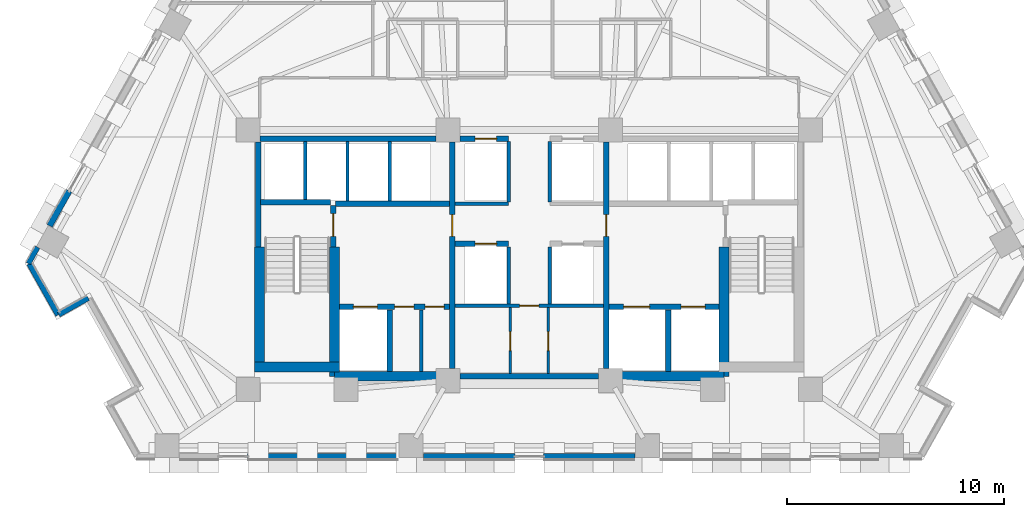
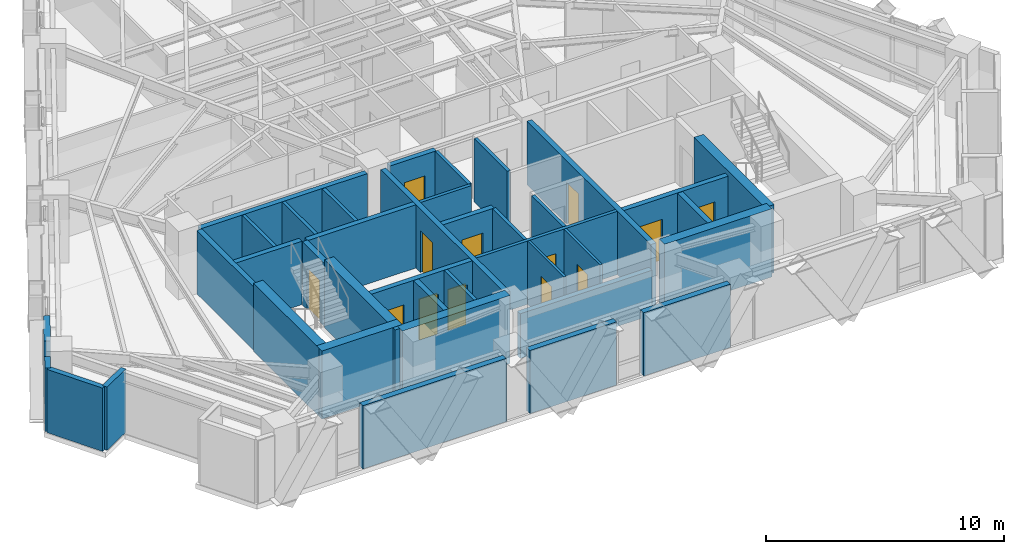
# One storey, part 7 of 13: 39 walls, 13 doors, 13 openings.
"""IFC4 building model written with IfcOpenShell, lengths in metres."""

from ifc_helpers import new_model, si_unit, direction, frame, frame_2d, origin, place, context, subcontext, project, spatial, rectangle, extrude, material, layer, layer_set, type_object, element, fill, save


model = new_model("IFC4")

# Units and contexts
model_context = context("Model", 3, precision=1e-05, world=origin(), true_north=direction((0.0, 1.0)))
body_context = subcontext(model_context, "Body", "Model", "MODEL_VIEW")
ifc_project = project(units=[si_unit("LENGTHUNIT", "METRE"), si_unit("AREAUNIT", "SQUARE_METRE"), si_unit("VOLUMEUNIT", "CUBIC_METRE"), si_unit("PLANEANGLEUNIT", "RADIAN"), si_unit("MASSUNIT", "GRAM", prefix="KILO")], contexts=[model_context])

# Site, building, storey
site_placement = place(None, origin())
site = spatial("IfcSite", under=ifc_project, at=site_placement, CompositionType="ELEMENT")
building_placement = place(site_placement, origin())
building = spatial("IfcBuilding", under=site, at=building_placement, Name="Quenlor Broadcast Tower", CompositionType="ELEMENT")
storey_placement = place(building_placement, frame((0.0, 0.0, 98.5)))
storey = spatial("IfcBuildingStorey", under=building, at=storey_placement, Name="L26", CompositionType="ELEMENT", Elevation=98.5)

# Walls
ifc_material_1 = material(Name="Concrete C50/60", Category="concrete")
ifc_layer_1 = layer(ifc_material_1, 0.449951171875)
ifc_layer_set_1 = layer_set([ifc_layer_1], Name="Core Concrete C50/60 Shear Wall 450")
wall_type_1 = type_object("IfcWallType", Name="Core Concrete C50/60 Shear Wall 450", PredefinedType="SHEAR", material=ifc_layer_set_1)
wall_1_placement = place(storey_placement, frame((-12.64990234375, -15.72509765625, 0.0), z_axis=(0.0, 0.0, 1.0), x_axis=(1.0, 0.0, 0.0)))
element("IfcWall", 1, at=wall_1_placement, inside=storey, type_object=wall_type_1, Name="L26 Core Shear Wall WS-W1", PredefinedType="SHEAR", context=body_context, shape_type="SweptSolid", body=[
    extrude(rectangle(XDim=3.89990234375, YDim=0.449951171875, at=frame_2d((1.949951171875, 0.0))), origin(), (0.0, 0.0, 1.0), 3.5),
])
for number, where, z_axis, x_axis, name in (
    (2, (-8.97509765625, -16.14990234375, 0.0), (0.0, 0.0, 1.0), (1.0, 0.0, 0.0), "L26 Core Shear Wall WS-W2"),
    (3, (3.75, -16.14990234375, 0.0), (0.0, 0.0, 1.0), (1.0, 0.0, 0.0), "L26 Core Shear Wall WS-E1"),
):
    element("IfcWall", number, at=place(storey_placement, frame(where, z_axis=z_axis, x_axis=x_axis)), inside=storey, type_object=wall_type_1, Name=name, PredefinedType="SHEAR", context=body_context, shape_type="SweptSolid", body=[
        extrude(rectangle(XDim=5.22509765625, YDim=0.449951171875, at=frame_2d((2.612548828125, 0.0))), origin(), (0.0, 0.0, 1.0), 3.5),
    ])
wall_2_placement = place(storey_placement, frame((-12.425048828125, -15.72509765625, 0.0), z_axis=(0.0, 0.0, 1.0), x_axis=(0.0, 1.0, 0.0)))
element("IfcWall", 4, at=wall_2_placement, inside=storey, type_object=wall_type_1, Name="L26 Core Shear Wall WF-W", PredefinedType="SHEAR", context=body_context, shape_type="SweptSolid", body=[
    extrude(rectangle(XDim=5.525146484375, YDim=0.449951171875, at=frame_2d((2.7626953125, 0.0))), origin(), (0.0, 0.0, 1.0), 3.5),
])
for number, where, z_axis, x_axis, name in (
    (5, (-8.97509765625, -16.14990234375, 0.0), (0.0, 0.0, 1.0), (0.0, 1.0, 0.0), "L26 Core Shear Wall WI-W"),
    (6, (8.97509765625, -16.14990234375, 0.0), (0.0, 0.0, 1.0), (0.0, 1.0, 0.0), "L26 Core Shear Wall WI-E"),
):
    element("IfcWall", number, at=place(storey_placement, frame(where, z_axis=z_axis, x_axis=x_axis)), inside=storey, type_object=wall_type_1, Name=name, PredefinedType="SHEAR", context=body_context, shape_type="SweptSolid", body=[
        extrude(rectangle(XDim=5.949951171875, YDim=0.449951171875, at=frame_2d((2.97509765625, 0.0))), origin(), (0.0, 0.0, 1.0), 3.5),
    ])

# Wall, opening, door
ifc_material_2 = material(Name="Concrete C40/50", Category="concrete")
ifc_layer_2 = layer(ifc_material_2, 0.25)
ifc_layer_set_2 = layer_set([ifc_layer_2], Name="Fire Rated Concrete C40/50 Core Wall 250")
wall_type_2 = type_object("IfcWallType", Name="Fire Rated Concrete C40/50 Core Wall 250", PredefinedType="PARTITIONING", material=ifc_layer_set_2)
wall_3_placement = place(storey_placement, frame((-9.0400390625, -10.179931640625, 0.0), z_axis=(0.0, 0.0, 1.0), x_axis=(0.0, 1.0, 0.0)))
wall_3 = element("IfcWall", 7, at=wall_3_placement, inside=storey, type_object=wall_type_2, Name="L26 Interior Wall CW-ST1-DR", PredefinedType="PARTITIONING", context=body_context, shape_type="SweptSolid", body=[
    extrude(rectangle(XDim=1.89990234375, YDim=0.25, at=frame_2d((0.949951171875, 0.0))), origin(), (0.0, 0.0, 1.0), 3.25),
])
opening_1_placement = place(wall_3_placement, frame((0.47998046875, 0.0, 0.0)))
opening_1 = element("IfcOpeningElement", 8, at=opening_1_placement, cuts=wall_3, Name="Opening FD-1", PredefinedType="OPENING", context=body_context, shape_type="SweptSolid", body=[
    extrude(rectangle(XDim=1.050048828125, YDim=2.14990234375, at=frame_2d((0.52490234375, 1.074951171875))), frame((0.0, 0.135009765625, 0.0), z_axis=(0.0, -1.0, 0.0), x_axis=(1.0, 0.0, 0.0)), (0.0, 0.0, 1.0), 0.27001953125),
])
ifc_material_3 = material(Name="Fire Rated Steel Door Leaf", Category="steel")
door_type_1 = type_object("IfcDoorType", Name="Fire Isolated Stair Door 1050x2150", OperationType="NOTDEFINED", PredefinedType="DOOR", material=ifc_material_3)
door_1_placement = place(opening_1_placement, origin())
door_1 = element("IfcDoor", 9, at=door_1_placement, inside=storey, type_object=door_type_1, Name="L26 Door DR-ST1", OperationType="SINGLE_SWING_LEFT", OverallHeight=2.14990234375, OverallWidth=1.050048828125, PredefinedType="DOOR", context=body_context, shape_type="SweptSolid", body=[
    extrude(rectangle(XDim=1.050048828125, YDim=2.14990234375, at=frame_2d((0.52490234375, 1.074951171875))), frame((0.0, 0.02490234375, 0.0), z_axis=(0.0, -1.0, 0.0), x_axis=(1.0, 0.0, 0.0)), (0.0, 0.0, 1.0), 0.050048828125),
])
fill(opening_1, door_1)

# Walls
wall_4_placement = place(storey_placement, frame((-12.3798828125, -8.1201171875, 0.0), z_axis=(0.0, 0.0, 1.0), x_axis=(1.0, 0.0, 0.0)))
element("IfcWall", 10, at=wall_4_placement, inside=storey, type_object=wall_type_2, Name="L26 Interior Wall CW-ST1-N", PredefinedType="PARTITIONING", context=body_context, shape_type="SweptSolid", body=[
    extrude(rectangle(XDim=3.219970703125, YDim=0.25, at=frame_2d((1.60986328125, 0.0))), origin(), (0.0, 0.0, 1.0), 3.25),
])
wall_5_placement = place(storey_placement, frame((-12.47998046875, -10.179931640625, 0.0), z_axis=(0.0, 0.0, 1.0), x_axis=(0.0, 1.0, 0.0)))
element("IfcWall", 11, at=wall_5_placement, inside=storey, type_object=wall_type_2, Name="L26 Interior Wall CW-ST1-W2", PredefinedType="PARTITIONING", context=body_context, shape_type="SweptSolid", body=[
    extrude(rectangle(XDim=4.827880859375, YDim=0.25, at=frame_2d((2.4140625, 0.0))), origin(), (0.0, 0.0, 1.0), 3.25),
])

# Wall, openings, doors
wall_6_placement = place(storey_placement, frame((-8.748046875, -12.949951171875, 0.0), z_axis=(0.0, 0.0, 1.0), x_axis=(1.0, 0.0, 0.0)))
wall_6 = element("IfcWall", 12, at=wall_6_placement, inside=storey, type_object=wall_type_2, Name="L26 Interior Wall CW-FFW-S", PredefinedType="PARTITIONING", context=body_context, shape_type="SweptSolid", body=[
    extrude(rectangle(XDim=5.068115234375, YDim=0.25, at=frame_2d((2.5341796875, 0.0))), origin(), (0.0, 0.0, 1.0), 3.25),
])
opening_2_placement = place(wall_6_placement, frame((0.64794921875, 0.0, 0.0)))
opening_2 = element("IfcOpeningElement", 13, at=opening_2_placement, cuts=wall_6, Name="Opening LD-FFL-1", PredefinedType="OPENING", context=body_context, shape_type="SweptSolid", body=[
    extrude(rectangle(XDim=1.10009765625, YDim=2.14990234375, at=frame_2d((0.550048828125, 1.074951171875))), frame((0.0, 0.135009765625, 0.0), z_axis=(0.0, -1.0, 0.0), x_axis=(1.0, 0.0, 0.0)), (0.0, 0.0, 1.0), 0.27001953125),
])
opening_3_placement = place(wall_6_placement, frame((2.548095703125, 0.0, 0.0)))
opening_3 = element("IfcOpeningElement", 14, at=opening_3_placement, cuts=wall_6, Name="Opening TD-1", PredefinedType="OPENING", context=body_context, shape_type="SweptSolid", body=[
    extrude(rectangle(XDim=0.8798828125, YDim=2.10009765625, at=frame_2d((0.43994140625, 1.050048828125))), frame((0.0, 0.135009765625, 0.0), z_axis=(0.0, -1.0, 0.0), x_axis=(1.0, 0.0, 0.0)), (0.0, 0.0, 1.0), 0.27001953125),
])
opening_4_placement = place(wall_6_placement, frame((3.947998046875, 0.0, 0.0)))
opening_4 = element("IfcOpeningElement", 15, at=opening_4_placement, cuts=wall_6, Name="Opening TD-1", PredefinedType="OPENING", context=body_context, shape_type="SweptSolid", body=[
    extrude(rectangle(XDim=0.8798828125, YDim=2.10009765625, at=frame_2d((0.43994140625, 1.050048828125))), frame((0.0, 0.135009765625, 0.0), z_axis=(0.0, -1.0, 0.0), x_axis=(1.0, 0.0, 0.0)), (0.0, 0.0, 1.0), 0.27001953125),
])
ifc_material_4 = material(Name="Brushed Stainless Steel", Category="steel")
door_type_2 = type_object("IfcDoorType", Name="Emergency Lift Sliding Landing Door 1100x2150", OperationType="NOTDEFINED", PredefinedType="DOOR", material=ifc_material_4)
door_2_placement = place(opening_2_placement, origin())
door_2 = element("IfcDoor", 16, at=door_2_placement, inside=storey, type_object=door_type_2, Name="L26 Door LD-FFL-1", OperationType="SLIDING_TO_LEFT", OverallHeight=2.14990234375, OverallWidth=1.10009765625, PredefinedType="DOOR", context=body_context, shape_type="SweptSolid", body=[
    extrude(rectangle(XDim=1.10009765625, YDim=2.14990234375, at=frame_2d((0.550048828125, 1.074951171875))), frame((0.0, 0.02490234375, 0.0), z_axis=(0.0, -1.0, 0.0), x_axis=(1.0, 0.0, 0.0)), (0.0, 0.0, 1.0), 0.050048828125),
])
fill(opening_2, door_2)
ifc_material_5 = material(Name="Fire Rated Steel Access Panel", Category="steel")
door_type_3 = type_object("IfcDoorType", Name="Riser Shaft Rated Access Trapdoor 880x2100", OperationType="NOTDEFINED", PredefinedType="TRAPDOOR", material=ifc_material_5)
door_3_placement = place(opening_3_placement, origin())
door_3 = element("IfcDoor", 17, at=door_3_placement, inside=storey, type_object=door_type_3, Name="L26 Door DR-ELR", OperationType="SINGLE_SWING_LEFT", OverallHeight=2.10009765625, OverallWidth=0.8798828125, PredefinedType="TRAPDOOR", context=body_context, shape_type="SweptSolid", body=[
    extrude(rectangle(XDim=0.8798828125, YDim=2.10009765625, at=frame_2d((0.43994140625, 1.050048828125))), frame((0.0, 0.02490234375, 0.0), z_axis=(0.0, -1.0, 0.0), x_axis=(1.0, 0.0, 0.0)), (0.0, 0.0, 1.0), 0.050048828125),
])
fill(opening_3, door_3)
door_4_placement = place(opening_4_placement, origin())
door_4 = element("IfcDoor", 18, at=door_4_placement, inside=storey, type_object=door_type_3, Name="L26 Door DR-CMR", OperationType="SINGLE_SWING_RIGHT", OverallHeight=2.10009765625, OverallWidth=0.8798828125, PredefinedType="TRAPDOOR", context=body_context, shape_type="SweptSolid", body=[
    extrude(rectangle(XDim=0.8798828125, YDim=2.10009765625, at=frame_2d((0.43994140625, 1.050048828125))), frame((0.0, 0.02490234375, 0.0), z_axis=(0.0, -1.0, 0.0), x_axis=(1.0, 0.0, 0.0)), (0.0, 0.0, 1.0), 0.050048828125),
])
fill(opening_4, door_4)

wall_7_placement = place(storey_placement, frame((3.679931640625, -12.949951171875, 0.0), z_axis=(0.0, 0.0, 1.0), x_axis=(1.0, 0.0, 0.0)))
wall_7 = element("IfcWall", 19, at=wall_7_placement, inside=storey, type_object=wall_type_2, Name="L26 Interior Wall CW-FFE-S", PredefinedType="PARTITIONING", context=body_context, shape_type="SweptSolid", body=[
    extrude(rectangle(XDim=5.068115234375, YDim=0.25, at=frame_2d((2.5341796875, 0.0))), origin(), (0.0, 0.0, 1.0), 3.25),
])
opening_5_placement = place(wall_7_placement, frame((3.320068359375, 0.0, 0.0)))
opening_5 = element("IfcOpeningElement", 20, at=opening_5_placement, cuts=wall_7, Name="Opening LD-FFL-2", PredefinedType="OPENING", context=body_context, shape_type="SweptSolid", body=[
    extrude(rectangle(XDim=1.10009765625, YDim=2.14990234375, at=frame_2d((0.550048828125, 1.074951171875))), frame((0.0, 0.135009765625, 0.0), z_axis=(0.0, -1.0, 0.0), x_axis=(1.0, 0.0, 0.0)), (0.0, 0.0, 1.0), 0.27001953125),
])
opening_6_placement = place(wall_7_placement, frame((0.669921875, 0.0, 0.0)))
opening_6 = element("IfcOpeningElement", 21, at=opening_6_placement, cuts=wall_7, Name="Opening LD-SVL-1", PredefinedType="OPENING", context=body_context, shape_type="SweptSolid", body=[
    extrude(rectangle(XDim=1.199951171875, YDim=2.14990234375, at=frame_2d((0.60009765625, 1.074951171875))), frame((0.0, 0.135009765625, 0.0), z_axis=(0.0, -1.0, 0.0), x_axis=(1.0, 0.0, 0.0)), (0.0, 0.0, 1.0), 0.27001953125),
])
door_5_placement = place(opening_5_placement, origin())
door_5 = element("IfcDoor", 22, at=door_5_placement, inside=storey, type_object=door_type_2, Name="L26 Door LD-FFL-2", OperationType="SLIDING_TO_RIGHT", OverallHeight=2.14990234375, OverallWidth=1.10009765625, PredefinedType="DOOR", context=body_context, shape_type="SweptSolid", body=[
    extrude(rectangle(XDim=1.10009765625, YDim=2.14990234375, at=frame_2d((0.550048828125, 1.074951171875))), frame((0.0, 0.02490234375, 0.0), z_axis=(0.0, -1.0, 0.0), x_axis=(1.0, 0.0, 0.0)), (0.0, 0.0, 1.0), 0.050048828125),
])
fill(opening_5, door_5)
ifc_material_6 = material(Name="Brushed Stainless Steel", Category="steel")
door_type_4 = type_object("IfcDoorType", Name="Goods Lift Sliding Landing Door 1200x2150", OperationType="NOTDEFINED", PredefinedType="DOOR", material=ifc_material_6)
door_6_placement = place(opening_6_placement, origin())
door_6 = element("IfcDoor", 23, at=door_6_placement, inside=storey, type_object=door_type_4, Name="L26 Door LD-SVL-1", OperationType="SLIDING_TO_LEFT", OverallHeight=2.14990234375, OverallWidth=1.199951171875, PredefinedType="DOOR", context=body_context, shape_type="SweptSolid", body=[
    extrude(rectangle(XDim=1.199951171875, YDim=2.14990234375, at=frame_2d((0.60009765625, 1.074951171875))), frame((0.0, 0.02490234375, 0.0), z_axis=(0.0, -1.0, 0.0), x_axis=(1.0, 0.0, 0.0)), (0.0, 0.0, 1.0), 0.050048828125),
])
fill(opening_6, door_6)

# Walls
for number, where, z_axis, x_axis, name in (
    (24, (-6.419921875, -15.919921875, 0.0), (0.0, 0.0, 1.0), (0.0, 1.0, 0.0), "L26 Interior Wall CW-FF1-E"),
    (25, (6.39990234375, -15.919921875, 0.0), (0.0, 0.0, 1.0), (0.0, 1.0, 0.0), "L26 Interior Wall CW-SV1-E"),
):
    element("IfcWall", number, at=place(storey_placement, frame(where, z_axis=z_axis, x_axis=x_axis)), inside=storey, type_object=wall_type_2, Name=name, PredefinedType="PARTITIONING", context=body_context, shape_type="SweptSolid", body=[
        extrude(rectangle(XDim=2.829833984375, YDim=0.25, at=frame_2d((1.4150390625, 0.0))), origin(), (0.0, 0.0, 1.0), 3.25),
    ])
wall_8_placement = place(storey_placement, frame((-8.919921875, -8.199951171875, 0.0), z_axis=(0.0, 0.0, 1.0), x_axis=(1.0, 0.0, 0.0)))
element("IfcWall", 26, at=wall_8_placement, inside=storey, type_object=wall_type_2, Name="L26 Interior Wall CW-FFW-N", PredefinedType="PARTITIONING", context=body_context, shape_type="SweptSolid", body=[
    extrude(rectangle(XDim=5.239990234375, YDim=0.25, at=frame_2d((2.6201171875, 0.0))), origin(), (0.0, 0.0, 1.0), 3.25),
])

# Wall, opening, door
wall_9_placement = place(storey_placement, frame((-3.550048828125, -15.798095703125, 0.0), z_axis=(0.0, 0.0, 1.0), x_axis=(0.0, 1.0, 0.0)))
wall_9 = element("IfcWall", 27, at=wall_9_placement, inside=storey, type_object=wall_type_2, Name="L26 Interior Wall CW-FFW-E", PredefinedType="PARTITIONING", context=body_context, shape_type="SweptSolid", body=[
    extrude(rectangle(XDim=10.446044921875, YDim=0.25, at=frame_2d((5.22314453125, 0.0))), origin(), (0.0, 0.0, 1.0), 3.25),
])
opening_7_placement = place(wall_9_placement, frame((6.097900390625, 0.0, 0.0)))
opening_7 = element("IfcOpeningElement", 28, at=opening_7_placement, cuts=wall_9, Name="Opening FD-2", PredefinedType="OPENING", context=body_context, shape_type="SweptSolid", body=[
    extrude(rectangle(XDim=1.0, YDim=2.14990234375, at=frame_2d((0.5, 1.074951171875))), frame((0.0, 0.135009765625, 0.0), z_axis=(0.0, -1.0, 0.0), x_axis=(1.0, 0.0, 0.0)), (0.0, 0.0, 1.0), 0.27001953125),
])
ifc_material_7 = material(Name="Fire Rated Glazed Steel Door", Category="steel")
door_type_5 = type_object("IfcDoorType", Name="Firefighting Lobby Smoke Door 1000x2150", OperationType="NOTDEFINED", PredefinedType="DOOR", material=ifc_material_7)
door_7_placement = place(opening_7_placement, origin())
door_7 = element("IfcDoor", 29, at=door_7_placement, inside=storey, type_object=door_type_5, Name="L26 Door DR-FFLW", OperationType="SINGLE_SWING_RIGHT", OverallHeight=2.14990234375, OverallWidth=1.0, PredefinedType="DOOR", context=body_context, shape_type="SweptSolid", body=[
    extrude(rectangle(XDim=1.0, YDim=2.14990234375, at=frame_2d((0.5, 1.074951171875))), frame((0.0, 0.02490234375, 0.0), z_axis=(0.0, -1.0, 0.0), x_axis=(1.0, 0.0, 0.0)), (0.0, 0.0, 1.0), 0.050048828125),
])
fill(opening_7, door_7)

wall_10_placement = place(storey_placement, frame((3.550048828125, -15.798095703125, 0.0), z_axis=(0.0, 0.0, 1.0), x_axis=(0.0, 1.0, 0.0)))
wall_10 = element("IfcWall", 30, at=wall_10_placement, inside=storey, type_object=wall_type_2, Name="L26 Interior Wall CW-FFE-W", PredefinedType="PARTITIONING", context=body_context, shape_type="SweptSolid", body=[
    extrude(rectangle(XDim=10.446044921875, YDim=0.25, at=frame_2d((5.22314453125, 0.0))), origin(), (0.0, 0.0, 1.0), 3.25),
])
opening_8_placement = place(wall_10_placement, frame((6.097900390625, 0.0, 0.0)))
opening_8 = element("IfcOpeningElement", 31, at=opening_8_placement, cuts=wall_10, Name="Opening FD-2", PredefinedType="OPENING", context=body_context, shape_type="SweptSolid", body=[
    extrude(rectangle(XDim=1.0, YDim=2.14990234375, at=frame_2d((0.5, 1.074951171875))), frame((0.0, 0.135009765625, 0.0), z_axis=(0.0, -1.0, 0.0), x_axis=(1.0, 0.0, 0.0)), (0.0, 0.0, 1.0), 0.27001953125),
])
door_8_placement = place(opening_8_placement, origin())
door_8 = element("IfcDoor", 32, at=door_8_placement, inside=storey, type_object=door_type_5, Name="L26 Door DR-FFLE", OperationType="SINGLE_SWING_LEFT", OverallHeight=2.14990234375, OverallWidth=1.0, PredefinedType="DOOR", context=body_context, shape_type="SweptSolid", body=[
    extrude(rectangle(XDim=1.0, YDim=2.14990234375, at=frame_2d((0.5, 1.074951171875))), frame((0.0, 0.02490234375, 0.0), z_axis=(0.0, -1.0, 0.0), x_axis=(1.0, 0.0, 0.0)), (0.0, 0.0, 1.0), 0.050048828125),
])
fill(opening_8, door_8)

# Wall
wall_11_placement = place(storey_placement, frame((-12.39794921875, -5.199951171875, 0.0), z_axis=(0.0, 0.0, 1.0), x_axis=(1.0, 0.0, 0.0)))
element("IfcWall", 33, at=wall_11_placement, inside=storey, type_object=wall_type_2, Name="L26 Interior Wall CW-N-W", PredefinedType="PARTITIONING", context=body_context, shape_type="SweptSolid", body=[
    extrude(rectangle(XDim=8.095947265625, YDim=0.25, at=frame_2d((4.0478515625, 0.0))), origin(), (0.0, 0.0, 1.0), 3.25),
])

# Wall, opening, door
wall_12_placement = place(storey_placement, frame((-3.197998046875, -5.199951171875, 0.0), z_axis=(0.0, 0.0, 1.0), x_axis=(1.0, 0.0, 0.0)))
wall_12 = element("IfcWall", 34, at=wall_12_placement, inside=storey, type_object=wall_type_2, Name="L26 Interior Wall CW-N-M1", PredefinedType="PARTITIONING", context=body_context, shape_type="SweptSolid", body=[
    extrude(rectangle(XDim=2.248046875, YDim=0.25, at=frame_2d((1.1240234375, 0.0))), origin(), (0.0, 0.0, 1.0), 3.25),
])
opening_9_placement = place(wall_12_placement, frame((0.697998046875, 0.0, 0.0)))
opening_9 = element("IfcOpeningElement", 35, at=opening_9_placement, cuts=wall_12, Name="Opening LD-PL-M1", PredefinedType="OPENING", context=body_context, shape_type="SweptSolid", body=[
    extrude(rectangle(XDim=1.0, YDim=2.14990234375, at=frame_2d((0.5, 1.074951171875))), frame((0.0, 0.135009765625, 0.0), z_axis=(0.0, -1.0, 0.0), x_axis=(1.0, 0.0, 0.0)), (0.0, 0.0, 1.0), 0.27001953125),
])
ifc_material_8 = material(Name="Brushed Stainless Steel", Category="steel")
door_type_6 = type_object("IfcDoorType", Name="Passenger Lift Sliding Landing Door 1000x2150", OperationType="NOTDEFINED", PredefinedType="DOOR", material=ifc_material_8)
door_9_placement = place(opening_9_placement, origin())
door_9 = element("IfcDoor", 36, at=door_9_placement, inside=storey, type_object=door_type_6, Name="L26 Door LD-PL-M1", OperationType="SLIDING_TO_LEFT", OverallHeight=2.14990234375, OverallWidth=1.0, PredefinedType="DOOR", context=body_context, shape_type="SweptSolid", body=[
    extrude(rectangle(XDim=1.0, YDim=2.14990234375, at=frame_2d((0.5, 1.074951171875))), frame((0.0, 0.02490234375, 0.0), z_axis=(0.0, -1.0, 0.0), x_axis=(1.0, 0.0, 0.0)), (0.0, 0.0, 1.0), 0.050048828125),
])
fill(opening_9, door_9)

# Wall
wall_13_placement = place(storey_placement, frame((-3.197998046875, -16.14990234375, 0.0), z_axis=(0.0, 0.0, 1.0), x_axis=(1.0, 0.0, 0.0)))
element("IfcWall", 37, at=wall_13_placement, inside=storey, type_object=wall_type_2, Name="L26 Interior Wall CW-MS-S", PredefinedType="PARTITIONING", context=body_context, shape_type="SweptSolid", body=[
    extrude(rectangle(XDim=6.39599609375, YDim=0.25, at=frame_2d((3.197998046875, 0.0))), origin(), (0.0, 0.0, 1.0), 2.300048828125),
])

# Wall, opening, door
wall_14_placement = place(storey_placement, frame((-3.419921875, -10.050048828125, 0.0), z_axis=(0.0, 0.0, 1.0), x_axis=(1.0, 0.0, 0.0)))
wall_14 = element("IfcWall", 38, at=wall_14_placement, inside=storey, type_object=wall_type_2, Name="L26 Interior Wall CW-MS-N1", PredefinedType="PARTITIONING", context=body_context, shape_type="SweptSolid", body=[
    extrude(rectangle(XDim=2.469970703125, YDim=0.25, at=frame_2d((1.23486328125, 0.0))), origin(), (0.0, 0.0, 1.0), 3.25),
])
opening_10_placement = place(wall_14_placement, frame((0.919921875, 0.0, 0.0)))
opening_10 = element("IfcOpeningElement", 39, at=opening_10_placement, cuts=wall_14, Name="Opening LD-PL-M3", PredefinedType="OPENING", context=body_context, shape_type="SweptSolid", body=[
    extrude(rectangle(XDim=1.0, YDim=2.14990234375, at=frame_2d((0.5, 1.074951171875))), frame((0.0, 0.135009765625, 0.0), z_axis=(0.0, -1.0, 0.0), x_axis=(1.0, 0.0, 0.0)), (0.0, 0.0, 1.0), 0.27001953125),
])
door_10_placement = place(opening_10_placement, origin())
door_10 = element("IfcDoor", 40, at=door_10_placement, inside=storey, type_object=door_type_6, Name="L26 Door LD-PL-M3", OperationType="SLIDING_TO_LEFT", OverallHeight=2.14990234375, OverallWidth=1.0, PredefinedType="DOOR", context=body_context, shape_type="SweptSolid", body=[
    extrude(rectangle(XDim=1.0, YDim=2.14990234375, at=frame_2d((0.5, 1.074951171875))), frame((0.0, 0.02490234375, 0.0), z_axis=(0.0, -1.0, 0.0), x_axis=(1.0, 0.0, 0.0)), (0.0, 0.0, 1.0), 0.050048828125),
])
fill(opening_10, door_10)

# Walls
ifc_material_9 = material(Name="Gypsum Fireboard Partition", Category="other")
ifc_layer_3 = layer(ifc_material_9, 0.159912109375)
ifc_layer_set_3 = layer_set([ifc_layer_3], Name="Fire Rated Shaft and Corridor Partition 160")
wall_type_3 = type_object("IfcWallType", Name="Fire Rated Shaft and Corridor Partition 160", PredefinedType="PARTITIONING", material=ifc_layer_set_3)
wall_15_placement = place(storey_placement, frame((-4.97998046875, -15.919921875, 0.0), z_axis=(0.0, 0.0, 1.0), x_axis=(0.0, 1.0, 0.0)))
element("IfcWall", 41, at=wall_15_placement, inside=storey, type_object=wall_type_3, Name="L26 Interior Wall CW-ELR-E", PredefinedType="PARTITIONING", context=body_context, shape_type="SweptSolid", body=[
    extrude(rectangle(XDim=2.829833984375, YDim=0.159912109375, at=frame_2d((1.4150390625, 0.0))), origin(), (0.0, 0.0, 1.0), 3.25),
])
wall_16_placement = place(storey_placement, frame((-10.324951171875, -7.992919921875, 0.0), z_axis=(0.0, 0.0, 1.0), x_axis=(0.0, 1.0, 0.0)))
element("IfcWall", 42, at=wall_16_placement, inside=storey, type_object=wall_type_3, Name="L26 Interior Wall CW-PLL-D1", PredefinedType="PARTITIONING", context=body_context, shape_type="SweptSolid", body=[
    extrude(rectangle(XDim=2.65283203125, YDim=0.159912109375, at=frame_2d((1.326416015625, 0.0))), origin(), (0.0, 0.0, 1.0), 3.25),
])
for number, where, z_axis, x_axis, name in (
    (43, (-8.375, -8.072998046875, 0.0), (0.0, 0.0, 1.0), (0.0, 1.0, 0.0), "L26 Interior Wall CW-PLL-D2"),
    (44, (-6.425048828125, -8.072998046875, 0.0), (0.0, 0.0, 1.0), (0.0, 1.0, 0.0), "L26 Interior Wall CW-PLL-D3"),
):
    element("IfcWall", number, at=place(storey_placement, frame(where, z_axis=z_axis, x_axis=x_axis)), inside=storey, type_object=wall_type_3, Name=name, PredefinedType="PARTITIONING", context=body_context, shape_type="SweptSolid", body=[
        extrude(rectangle(XDim=2.73291015625, YDim=0.159912109375, at=frame_2d((1.366455078125, 0.0))), origin(), (0.0, 0.0, 1.0), 3.25),
    ])
for number, where, z_axis, x_axis, name in (
    (45, (-0.949951171875, -8.1201171875, 0.0), (0.0, 0.0, 1.0), (0.0, 1.0, 0.0), "L26 Interior Wall CW-CCRP-W"),
    (46, (0.949951171875, -8.1201171875, 0.0), (0.0, 0.0, 1.0), (0.0, 1.0, 0.0), "L26 Interior Wall CW-CCRP-E"),
):
    element("IfcWall", number, at=place(storey_placement, frame(where, z_axis=z_axis, x_axis=x_axis)), inside=storey, type_object=wall_type_3, Name=name, PredefinedType="PARTITIONING", context=body_context, shape_type="SweptSolid", body=[
        extrude(rectangle(XDim=2.780029296875, YDim=0.159912109375, at=frame_2d((1.39013671875, 0.0))), origin(), (0.0, 0.0, 1.0), 3.25),
    ])
wall_17_placement = place(storey_placement, frame((-3.419921875, -8.199951171875, 0.0), z_axis=(0.0, 0.0, 1.0), x_axis=(1.0, 0.0, 0.0)))
element("IfcWall", 47, at=wall_17_placement, inside=storey, type_object=wall_type_3, Name="L26 Interior Wall CW-M-BACK1", PredefinedType="PARTITIONING", context=body_context, shape_type="SweptSolid", body=[
    extrude(rectangle(XDim=2.469970703125, YDim=0.159912109375, at=frame_2d((1.23486328125, 0.0))), origin(), (0.0, 0.0, 1.0), 3.25),
])

# Wall, opening, door
wall_18_placement = place(storey_placement, frame((-3.419921875, -12.89990234375, 0.0), z_axis=(0.0, 0.0, 1.0), x_axis=(1.0, 0.0, 0.0)))
wall_18 = element("IfcWall", 48, at=wall_18_placement, inside=storey, type_object=wall_type_3, Name="L26 Interior Wall CW-MS-B", PredefinedType="PARTITIONING", context=body_context, shape_type="SweptSolid", body=[
    extrude(rectangle(XDim=6.83984375, YDim=0.159912109375, at=frame_2d((3.419921875, 0.0))), origin(), (0.0, 0.0, 1.0), 3.25),
])
opening_11_placement = place(wall_18_placement, frame((2.97998046875, 0.0, 0.0)))
opening_11 = element("IfcOpeningElement", 49, at=opening_11_placement, cuts=wall_18, Name="Opening ID-4", PredefinedType="OPENING", context=body_context, shape_type="SweptSolid", body=[
    extrude(rectangle(XDim=0.8798828125, YDim=2.1201171875, at=frame_2d((0.43994140625, 1.06005859375))), frame((0.0, 0.08984375, 0.0), z_axis=(0.0, -1.0, 0.0), x_axis=(1.0, 0.0, 0.0)), (0.0, 0.0, 1.0), 0.179931640625),
])
ifc_material_10 = material(Name="Solid Core Timber Oak", Category="wood")
door_type_7 = type_object("IfcDoorType", Name="Service Closet Timber Door 880x2120", OperationType="NOTDEFINED", PredefinedType="DOOR", material=ifc_material_10)
door_11_placement = place(opening_11_placement, origin())
door_11 = element("IfcDoor", 50, at=door_11_placement, inside=storey, type_object=door_type_7, Name="L26 Door DR-CSV0", OperationType="SINGLE_SWING_LEFT", OverallHeight=2.1201171875, OverallWidth=0.8798828125, PredefinedType="DOOR", context=body_context, shape_type="SweptSolid", body=[
    extrude(rectangle(XDim=0.8798828125, YDim=2.1201171875, at=frame_2d((0.43994140625, 1.06005859375))), frame((0.0, 0.02490234375, 0.0), z_axis=(0.0, -1.0, 0.0), x_axis=(1.0, 0.0, 0.0)), (0.0, 0.0, 1.0), 0.050048828125),
])
fill(opening_11, door_11)

# Walls
for number, where, z_axis, x_axis, name in (
    (51, (-0.949951171875, -12.818115234375, 0.0), (0.0, 0.0, 1.0), (0.0, 1.0, 0.0), "L26 Interior Wall CW-MS-W"),
    (52, (0.949951171875, -12.818115234375, 0.0), (0.0, 0.0, 1.0), (0.0, 1.0, 0.0), "L26 Interior Wall CW-MS-E"),
):
    element("IfcWall", number, at=place(storey_placement, frame(where, z_axis=z_axis, x_axis=x_axis)), inside=storey, type_object=wall_type_3, Name=name, PredefinedType="PARTITIONING", context=body_context, shape_type="SweptSolid", body=[
        extrude(rectangle(XDim=2.63818359375, YDim=0.159912109375, at=frame_2d((1.319091796875, 0.0))), origin(), (0.0, 0.0, 1.0), 3.25),
    ])

# Wall, opening, door
ifc_material_11 = material(Name="Gypsum Plasterboard Partition", Category="other")
ifc_layer_4 = layer(ifc_material_11, 0.1201171875)
ifc_layer_set_4 = layer_set([ifc_layer_4], Name="Standard Office Partition 120")
wall_type_4 = type_object("IfcWallType", Name="Standard Office Partition 120", PredefinedType="PARTITIONING", material=ifc_layer_set_4)
wall_19_placement = place(storey_placement, frame((-0.8798828125, -16.02001953125, 0.0), z_axis=(0.0, 0.0, 1.0), x_axis=(0.0, 1.0, 0.0)))
wall_19 = element("IfcWall", 53, at=wall_19_placement, inside=storey, type_object=wall_type_4, Name="L26 Interior Wall CW-CSV-W3", PredefinedType="PARTITIONING", context=body_context, shape_type="SweptSolid", body=[
    extrude(rectangle(XDim=3.0380859375, YDim=0.1201171875, at=frame_2d((1.51904296875, 0.0))), origin(), (0.0, 0.0, 1.0), 3.25),
])
opening_12_placement = place(wall_19_placement, frame((1.050048828125, 0.0, 0.0)))
opening_12 = element("IfcOpeningElement", 54, at=opening_12_placement, cuts=wall_19, Name="Opening ID-4", PredefinedType="OPENING", context=body_context, shape_type="SweptSolid", body=[
    extrude(rectangle(XDim=0.8798828125, YDim=2.1201171875, at=frame_2d((0.43994140625, 1.06005859375))), frame((0.0, 0.070068359375, 0.0), z_axis=(0.0, -1.0, 0.0), x_axis=(1.0, 0.0, 0.0)), (0.0, 0.0, 1.0), 0.14013671875),
])
door_12_placement = place(opening_12_placement, origin())
door_12 = element("IfcDoor", 55, at=door_12_placement, inside=storey, type_object=door_type_7, Name="L26 Door DR-CSV1", OperationType="SINGLE_SWING_LEFT", OverallHeight=2.1201171875, OverallWidth=0.8798828125, PredefinedType="DOOR", context=body_context, shape_type="SweptSolid", body=[
    extrude(rectangle(XDim=0.8798828125, YDim=2.1201171875, at=frame_2d((0.43994140625, 1.06005859375))), frame((0.0, 0.02490234375, 0.0), z_axis=(0.0, -1.0, 0.0), x_axis=(1.0, 0.0, 0.0)), (0.0, 0.0, 1.0), 0.050048828125),
])
fill(opening_12, door_12)

wall_20_placement = place(storey_placement, frame((0.8798828125, -16.02001953125, 0.0), z_axis=(0.0, 0.0, 1.0), x_axis=(0.0, 1.0, 0.0)))
wall_20 = element("IfcWall", 56, at=wall_20_placement, inside=storey, type_object=wall_type_4, Name="L26 Interior Wall CW-CSV-E3", PredefinedType="PARTITIONING", context=body_context, shape_type="SweptSolid", body=[
    extrude(rectangle(XDim=3.0380859375, YDim=0.1201171875, at=frame_2d((1.51904296875, 0.0))), origin(), (0.0, 0.0, 1.0), 3.25),
])
opening_13_placement = place(wall_20_placement, frame((1.050048828125, 0.0, 0.0)))
opening_13 = element("IfcOpeningElement", 57, at=opening_13_placement, cuts=wall_20, Name="Opening ID-4", PredefinedType="OPENING", context=body_context, shape_type="SweptSolid", body=[
    extrude(rectangle(XDim=0.8798828125, YDim=2.1201171875, at=frame_2d((0.43994140625, 1.06005859375))), frame((0.0, 0.070068359375, 0.0), z_axis=(0.0, -1.0, 0.0), x_axis=(1.0, 0.0, 0.0)), (0.0, 0.0, 1.0), 0.14013671875),
])
door_13_placement = place(opening_13_placement, origin())
door_13 = element("IfcDoor", 58, at=door_13_placement, inside=storey, type_object=door_type_7, Name="L26 Door DR-CSV2", OperationType="SINGLE_SWING_RIGHT", OverallHeight=2.1201171875, OverallWidth=0.8798828125, PredefinedType="DOOR", context=body_context, shape_type="SweptSolid", body=[
    extrude(rectangle(XDim=0.8798828125, YDim=2.1201171875, at=frame_2d((0.43994140625, 1.06005859375))), frame((0.0, 0.02490234375, 0.0), z_axis=(0.0, -1.0, 0.0), x_axis=(1.0, 0.0, 0.0)), (0.0, 0.0, 1.0), 0.050048828125),
])
fill(opening_13, door_13)

# Walls
ifc_material_12 = material(Name="Precast concrete C40/50", Category="concrete")
ifc_layer_5 = layer(ifc_material_12, 0.239990234375)
ifc_layer_set_5 = layer_set([ifc_layer_5], Name="Terrace Threshold Precast Concrete C40/50 Wall 240")
wall_type_5 = type_object("IfcWallType", Name="Terrace Threshold Precast Concrete C40/50 Wall 240", PredefinedType="STANDARD", material=ifc_layer_set_5)
wall_21_placement = place(storey_placement, frame((-23.078125, -10.9541015625, 0.0), z_axis=(0.0, 0.0, 1.0), x_axis=(0.490355003566, 0.871522788272, 0.0)))
element("IfcWall", 59, at=wall_21_placement, inside=storey, type_object=wall_type_5, Name="L26 Exterior Wall L26-SHD-NWS0", PredefinedType="STANDARD", context=body_context, shape_type="SweptSolid", body=[
    extrude(rectangle(XDim=0.865234375, YDim=0.239990234375, at=frame_2d((0.4326171875, 0.0))), origin(), (0.0, 0.0, 1.0), 3.25),
])
wall_22_placement = place(storey_placement, frame((-23.043701171875, -10.962890625, 0.0), z_axis=(0.0, 0.0, 1.0), x_axis=(0.490218533594, -0.871599557894, 0.0)))
element("IfcWall", 60, at=wall_22_placement, inside=storey, type_object=wall_type_5, Name="L26 Exterior Wall L26-CNR-12", PredefinedType="STANDARD", context=body_context, shape_type="SweptSolid", body=[
    extrude(rectangle(XDim=2.714111328125, YDim=0.239990234375, at=frame_2d((1.35693359375, 0.0))), origin(), (0.0, 0.0, 1.0), 3.25),
])
wall_23_placement = place(storey_placement, frame((-21.67822265625, -13.30908203125, 0.0), z_axis=(0.0, 0.0, 1.0), x_axis=(0.871546278971, 0.490313250496, 0.0)))
element("IfcWall", 61, at=wall_23_placement, inside=storey, type_object=wall_type_5, Name="L26 Exterior Wall L26-CNR-13", PredefinedType="STANDARD", context=body_context, shape_type="SweptSolid", body=[
    extrude(rectangle(XDim=1.56005859375, YDim=0.239990234375, at=frame_2d((0.780029296875, 0.0))), origin(), (0.0, 0.0, 1.0), 3.25),
])
ifc_material_13 = material(Name="Precast concrete C40/50", Category="concrete")
ifc_layer_6 = layer(ifc_material_13, 0.280029296875)
ifc_layer_set_6 = layer_set([ifc_layer_6], Name="Terracotta Precast Concrete C40/50 Facade Wall 280")
wall_type_6 = type_object("IfcWallType", Name="Terracotta Precast Concrete C40/50 Facade Wall 280", PredefinedType="STANDARD", material=ifc_layer_set_6)
wall_24_placement = place(storey_placement, frame((-6.018310546875, -19.840087890625, 0.0), z_axis=(0.0, 0.0, 1.0), x_axis=(-1.0, 0.0, 0.0)))
element("IfcWall", 62, at=wall_24_placement, inside=storey, type_object=wall_type_6, Name="L26 Exterior Wall L26-SC-SP1", PredefinedType="STANDARD", context=body_context, shape_type="SweptSolid", body=[
    extrude(rectangle(XDim=6.96044921875, YDim=0.280029296875, at=frame_2d((3.480224609375, 0.0))), origin(), (0.0, 0.0, 1.0), 3.25),
])
for number, where, z_axis, x_axis, name in (
    (63, (4.873291015625, -19.840087890625, 0.0), (0.0, 0.0, 1.0), (-1.0, 0.0, 0.0), "L26 Exterior Wall L26-S-SP1"),
    (64, (-0.656494140625, -19.840087890625, 0.0), (0.0, 0.0, 1.0), (-1.0, 0.0, 0.0), "L26 Exterior Wall L26-S-SP2"),
):
    element("IfcWall", number, at=place(storey_placement, frame(where, z_axis=z_axis, x_axis=x_axis)), inside=storey, type_object=wall_type_6, Name=name, PredefinedType="STANDARD", context=body_context, shape_type="SweptSolid", body=[
        extrude(rectangle(XDim=4.216796875, YDim=0.280029296875, at=frame_2d((2.1083984375, 0.0))), origin(), (0.0, 0.0, 1.0), 3.25),
    ])
wall_25_placement = place(storey_placement, frame((-22.099853515625, -9.215087890625, 0.0), z_axis=(0.0, 0.0, 1.0), x_axis=(0.490280102884, 0.871564926277, 0.0)))
element("IfcWall", 65, at=wall_25_placement, inside=storey, type_object=wall_type_6, Name="L26 Exterior Wall L26-NWA-SP1", PredefinedType="STANDARD", context=body_context, shape_type="SweptSolid", body=[
    extrude(rectangle(XDim=1.843505859375, YDim=0.280029296875, at=frame_2d((0.921875, 0.0))), origin(), (0.0, 0.0, 1.0), 3.25),
])

save(model, "model.ifc")
